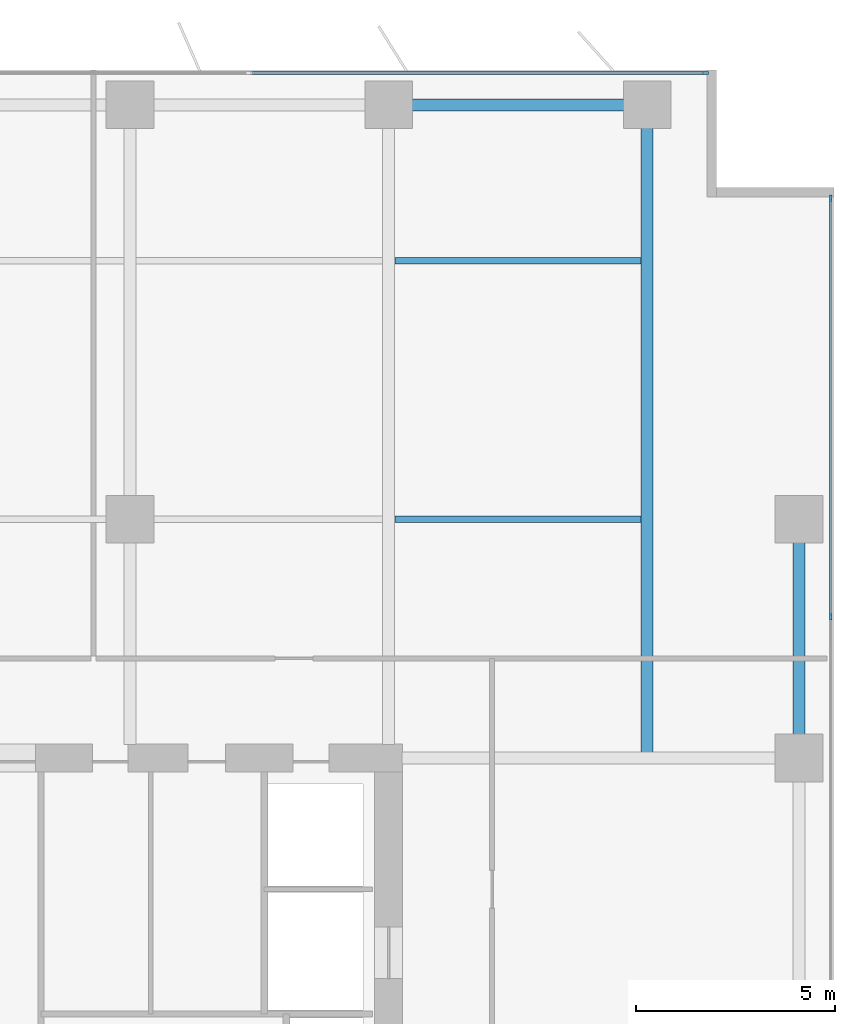
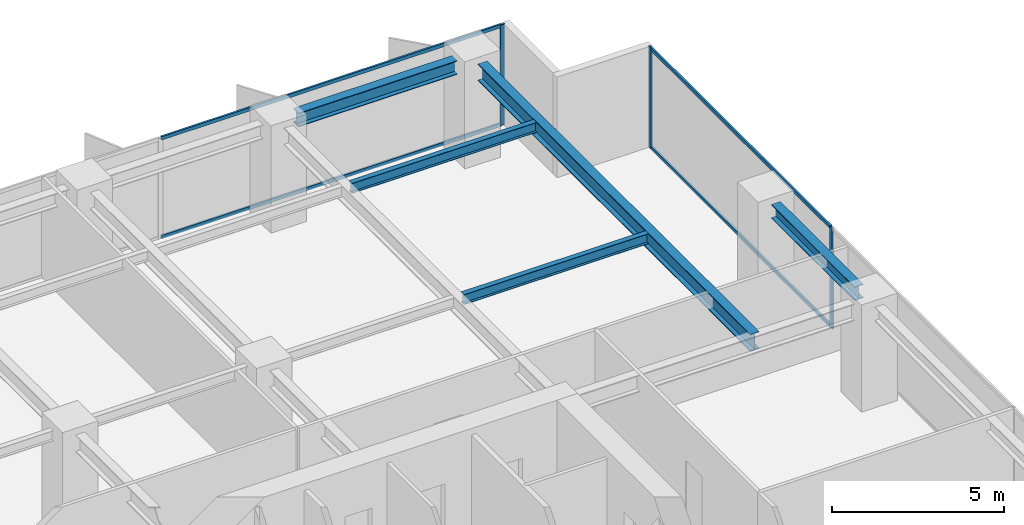
# One storey, part 11 of 20: 7 members, 5 beams, 2 elements without a shape of their own.
"""IFC4 building model written with IfcOpenShell, lengths in metres."""

from ifc_helpers import new_model, si_unit, direction, frame, origin, origin_2d, place, context, subcontext, project, spatial, rectangle, i_section, extrude, material, layer, layer_set, material_profile, profile_set, type_object, element, aggregate, save


model = new_model("IFC4")

# Units and contexts
model_context = context("Model", 3, precision=1e-05, world=origin(), true_north=direction((0.0, 1.0)))
body_context = subcontext(model_context, "Body", "Model", "MODEL_VIEW")
ifc_project = project(units=[si_unit("LENGTHUNIT", "METRE"), si_unit("AREAUNIT", "SQUARE_METRE"), si_unit("VOLUMEUNIT", "CUBIC_METRE"), si_unit("PLANEANGLEUNIT", "RADIAN"), si_unit("MASSUNIT", "GRAM", prefix="KILO")], contexts=[model_context])

# Site, building, storey
site_placement = place(None, origin())
site = spatial("IfcSite", under=ifc_project, at=site_placement, CompositionType="ELEMENT")
building_placement = place(site_placement, origin())
building = spatial("IfcBuilding", under=site, at=building_placement, Name="Putna Gate Headquarters", CompositionType="ELEMENT")
storey_placement = place(building_placement, frame((0.0, 0.0, 93.60009765625)))
storey = spatial("IfcBuildingStorey", under=building, at=storey_placement, Name="L22", CompositionType="ELEMENT", Elevation=93.60009765625)

# Beams
ifc_material_1 = material(Name="Steel S355J2", Category="steel")
ifc_material_profile_1 = material_profile(ifc_material_1, i_section(OverallWidth=0.300048828125, OverallDepth=0.60009765625, WebThickness=0.015380859375, FlangeThickness=0.030029296875, at=origin_2d()), Name="Steel S355J2")
ifc_profile_set_1 = profile_set([ifc_material_profile_1], Name="Steel S355J2")
beam_type_1 = type_object("IfcBeamType", Name="BM-GIRD-Z2-HEB600", PredefinedType="USERDEFINED", material=ifc_profile_set_1)
beam_1_placement = place(storey_placement, frame((71.5, 33.011962890625, 3.264892578125), z_axis=(0.0, 1.0, 0.0), x_axis=(-1.0, 0.0, 0.0)))
element("IfcBeam", 1, at=beam_1_placement, inside=storey, type_object=beam_type_1, Name="L22 North Primary Girder X71", ObjectType="GIRDER", PredefinedType="USERDEFINED", context=body_context, shape_type="SweptSolid", body=[
    extrude(i_section(OverallWidth=0.300048828125, OverallDepth=0.60009765625, WebThickness=0.015380859375, FlangeThickness=0.030029296875, at=origin_2d()), origin(), (0.0, 0.0, 1.0), 15.820068359375),
])
ifc_material_profile_2 = material_profile(ifc_material_1, i_section(OverallWidth=0.169921875, OverallDepth=0.360107421875, WebThickness=0.008056640625, FlangeThickness=0.0126953125, at=origin_2d()), Name="Steel S355J2")
ifc_profile_set_2 = profile_set([ifc_material_profile_2], Name="Steel S355J2")
beam_type_2 = type_object("IfcBeamType", Name="BM-SEC-Z2-IPE360", PredefinedType="BEAM", material=ifc_profile_set_2)
for number, where, z_axis, x_axis, name in (
    (2, (65.154052734375, 39.0, 3.385009765625), (1.0, 0.0, 0.0), (0.0, 1.0, 0.0), "L22 North Secondary Beam 10"),
    (3, (65.154052734375, 45.5, 3.385009765625), (1.0, 0.0, 0.0), (0.0, 1.0, 0.0), "L22 North Secondary Beam 10"),
):
    element("IfcBeam", number, at=place(storey_placement, frame(where, z_axis=z_axis, x_axis=x_axis)), inside=storey, type_object=beam_type_2, Name=name, PredefinedType="BEAM", context=body_context, shape_type="SweptSolid", body=[
        extrude(i_section(OverallWidth=0.169921875, OverallDepth=0.360107421875, WebThickness=0.008056640625, FlangeThickness=0.0126953125, at=origin_2d()), origin(), (0.0, 0.0, 1.0), 6.19189453125),
    ])
ifc_material_profile_3 = material_profile(ifc_material_1, i_section(OverallWidth=0.300048828125, OverallDepth=0.489990234375, WebThickness=0.011962890625, FlangeThickness=0.02294921875, at=origin_2d()), Name="Steel S355J2")
ifc_profile_set_3 = profile_set([ifc_material_profile_3], Name="Steel S355J2")
beam_type_3 = type_object("IfcBeamType", Name="BM-SPAN-Z2-HEA500", PredefinedType="SPANDREL", material=ifc_profile_set_3)
beam_2_placement = place(storey_placement, frame((65.587890625, 49.419921875, 3.31982421875), z_axis=(1.0, 0.0, 0.0), x_axis=(0.0, 1.0, 0.0)))
element("IfcBeam", 4, at=beam_2_placement, inside=storey, type_object=beam_type_3, Name="L22 N Perimeter Spandrel 10", PredefinedType="SPANDREL", context=body_context, shape_type="SweptSolid", body=[
    extrude(i_section(OverallWidth=0.300048828125, OverallDepth=0.489990234375, WebThickness=0.011962890625, FlangeThickness=0.02294921875, at=origin_2d()), origin(), (0.0, 0.0, 1.0), 5.32421875),
])
beam_3_placement = place(storey_placement, frame((75.320068359375, 33.587890625, 3.31982421875), z_axis=(0.0, 1.0, 0.0), x_axis=(-1.0, 0.0, 0.0)))
element("IfcBeam", 5, at=beam_3_placement, inside=storey, type_object=beam_type_3, Name="L22 E End Spandrel 3", PredefinedType="SPANDREL", context=body_context, shape_type="SweptSolid", body=[
    extrude(i_section(OverallWidth=0.300048828125, OverallDepth=0.489990234375, WebThickness=0.011962890625, FlangeThickness=0.02294921875, at=origin_2d()), origin(), (0.0, 0.0, 1.0), 4.82421875),
])

# Curtain wall, member
ifc_material_2 = material(Name="Anodised bronze aluminium curtain wall", Category="aluminium")
ifc_layer = layer(ifc_material_2, 0.159912109375)
ifc_layer_set = layer_set([ifc_layer], Name="Anodised bronze aluminium curtain wall")
curtain_wall_type = type_object("IfcCurtainWallType", Name="CW-SYS-Z2", PredefinedType="USERDEFINED", material=ifc_layer_set)
curtain_wall_1_placement = place(storey_placement, origin())
curtain_wall_1 = element("IfcCurtainWall", 6, at=curtain_wall_1_placement, inside=storey, type_object=curtain_wall_type, Name="L22 North East Curtain Wall", ObjectType="STICK CURTAIN WALL", PredefinedType="USERDEFINED")
ifc_material_3 = material(Name="Anodised bronze aluminium EN AW-6060", Category="aluminium")
ifc_material_profile_4 = material_profile(ifc_material_3, rectangle(XDim=0.06494140625, YDim=0.159912109375, at=origin_2d()), Name="Anodised bronze aluminium EN AW-6060")
ifc_profile_set_4 = profile_set([ifc_material_profile_4], Name="Anodised bronze aluminium EN AW-6060")
member_type_1 = type_object("IfcMemberType", Name="MULL-CWM-2", PredefinedType="MULLION", material=ifc_profile_set_4)
member_1_placement = place(storey_placement, frame((72.967529296875, 50.219970703125, 0.0), z_axis=(0.0, 0.0, 1.0), x_axis=(0.0, 1.0, 0.0)))
member_1 = element("IfcMember", 7, at=member_1_placement, type_object=member_type_1, Name="CWS-2 mullion 3", PredefinedType="MULLION", context=body_context, shape_type="SweptSolid", body=[
    extrude(rectangle(XDim=0.06494140625, YDim=0.159912109375, at=origin_2d()), origin(), (0.0, 0.0, 1.0), 3.56494140625),
])

# Curtain wall, members
curtain_wall_2_placement = place(storey_placement, origin())
curtain_wall_2 = element("IfcCurtainWall", 8, at=curtain_wall_2_placement, inside=storey, type_object=curtain_wall_type, Name="L22 East Curtain Wall", ObjectType="STICK CURTAIN WALL", PredefinedType="USERDEFINED")
member_2_placement = place(storey_placement, frame((76.1201171875, 36.550048828125, 0.0), z_axis=(0.0, 0.0, 1.0), x_axis=(-1.0, 0.0, 0.0)))
member_2 = element("IfcMember", 9, at=member_2_placement, type_object=member_type_1, Name="CWS-2 mullion 4", PredefinedType="MULLION", context=body_context, shape_type="SweptSolid", body=[
    extrude(rectangle(XDim=0.06494140625, YDim=0.159912109375, at=origin_2d()), origin(), (0.0, 0.0, 1.0), 3.56494140625),
])
member_3_placement = place(storey_placement, frame((76.1201171875, 47.0673828125, 0.0), z_axis=(0.0, 0.0, 1.0), x_axis=(-1.0, 0.0, 0.0)))
member_3 = element("IfcMember", 10, at=member_3_placement, type_object=member_type_1, Name="CWS-2 mullion 5", PredefinedType="MULLION", context=body_context, shape_type="SweptSolid", body=[
    extrude(rectangle(XDim=0.06494140625, YDim=0.159912109375, at=origin_2d()), origin(), (0.0, 0.0, 1.0), 3.56494140625),
])

# Member
ifc_material_profile_5 = material_profile(ifc_material_3, rectangle(XDim=0.06494140625, YDim=0.1201171875, at=origin_2d()), Name="Anodised bronze aluminium EN AW-6060")
ifc_profile_set_5 = profile_set([ifc_material_profile_5], Name="Anodised bronze aluminium EN AW-6060")
member_type_2 = type_object("IfcMemberType", Name="TRAN-CWT-2", PredefinedType="USERDEFINED", material=ifc_profile_set_5)
member_4_placement = place(storey_placement, frame((61.532470703125, 50.219970703125, 0.032470703125), z_axis=(1.0, 0.0, 0.0), x_axis=(0.0, 1.0, 0.0)))
member_4 = element("IfcMember", 11, at=member_4_placement, type_object=member_type_2, Name="CWS-2 transom 2.1", ObjectType="TRANSOM", PredefinedType="USERDEFINED", context=body_context, shape_type="SweptSolid", body=[
    extrude(rectangle(XDim=0.06494140625, YDim=0.1201171875, at=origin_2d()), origin(), (0.0, 0.0, 1.0), 11.402587890625),
])

member_5_placement = place(storey_placement, frame((61.532470703125, 50.219970703125, 3.532470703125), z_axis=(1.0, 0.0, 0.0), x_axis=(0.0, 1.0, 0.0)))
member_5 = element("IfcMember", 12, at=member_5_placement, type_object=member_type_2, Name="CWS-2 transom 2.2", ObjectType="TRANSOM", PredefinedType="USERDEFINED", context=body_context, shape_type="SweptSolid", body=[
    extrude(rectangle(XDim=0.06494140625, YDim=0.1201171875, at=origin_2d()), origin(), (0.0, 0.0, 1.0), 11.402587890625),
])

aggregate(curtain_wall_1, [member_1, member_4, member_5])

member_6_placement = place(storey_placement, frame((76.1201171875, 36.58251953125, 0.032470703125), z_axis=(0.0, 1.0, 0.0), x_axis=(-1.0, 0.0, 0.0)))
member_6 = element("IfcMember", 13, at=member_6_placement, type_object=member_type_2, Name="CWS-2 transom 4.1", ObjectType="TRANSOM", PredefinedType="USERDEFINED", context=body_context, shape_type="SweptSolid", body=[
    extrude(rectangle(XDim=0.06494140625, YDim=0.1201171875, at=origin_2d()), origin(), (0.0, 0.0, 1.0), 10.452392578125),
])

member_7_placement = place(storey_placement, frame((76.1201171875, 36.58251953125, 3.532470703125), z_axis=(0.0, 1.0, 0.0), x_axis=(-1.0, 0.0, 0.0)))
member_7 = element("IfcMember", 14, at=member_7_placement, type_object=member_type_2, Name="CWS-2 transom 4.2", ObjectType="TRANSOM", PredefinedType="USERDEFINED", context=body_context, shape_type="SweptSolid", body=[
    extrude(rectangle(XDim=0.06494140625, YDim=0.1201171875, at=origin_2d()), origin(), (0.0, 0.0, 1.0), 10.452392578125),
])

aggregate(curtain_wall_2, [member_2, member_3, member_6, member_7])

save(model, "model.ifc")
